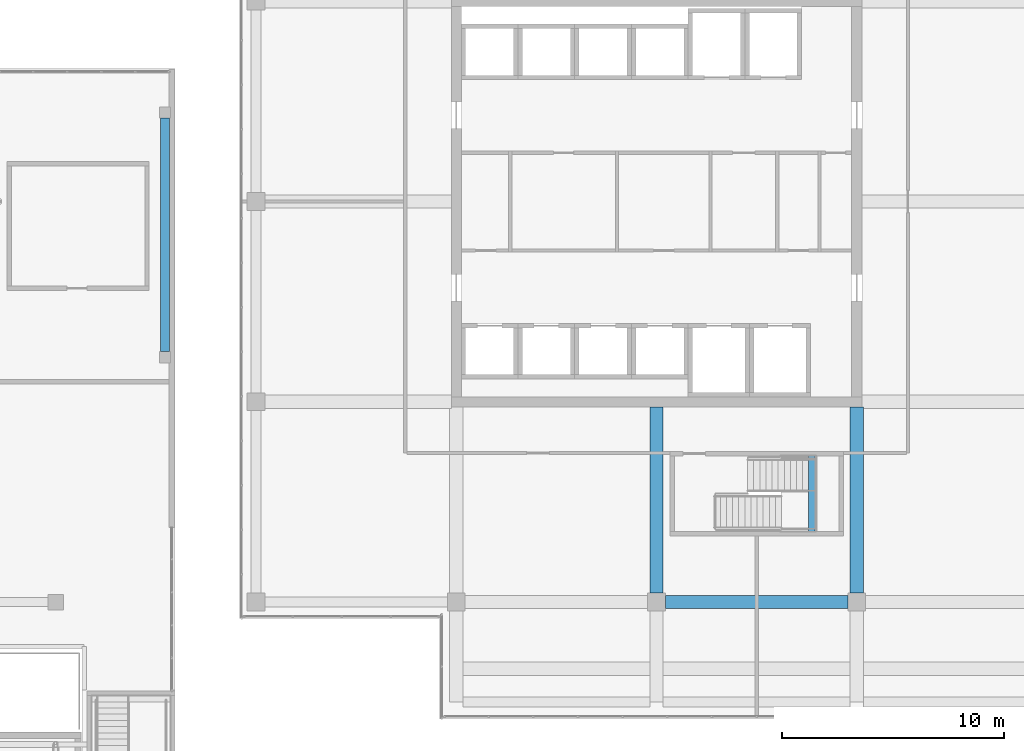
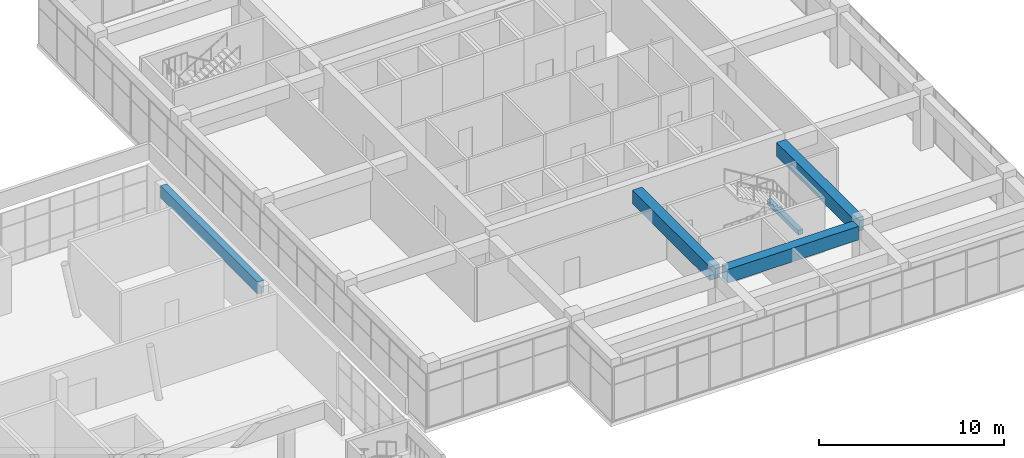
# One storey, part 29 of 72: 5 beams.
"""IFC4 building model written with IfcOpenShell, lengths in metres."""

from ifc_helpers import new_model, si_unit, direction, frame, origin, origin_2d, place, context, subcontext, project, spatial, rectangle, extrude, material, material_profile, profile_set, type_object, element, save


model = new_model("IFC4")

# Units and contexts
model_context = context("Model", 3, precision=1e-05, world=origin(), true_north=direction((0.0, 1.0)))
body_context = subcontext(model_context, "Body", "Model", "MODEL_VIEW")
ifc_project = project(units=[si_unit("LENGTHUNIT", "METRE"), si_unit("AREAUNIT", "SQUARE_METRE"), si_unit("VOLUMEUNIT", "CUBIC_METRE"), si_unit("PLANEANGLEUNIT", "RADIAN"), si_unit("MASSUNIT", "GRAM", prefix="KILO")], contexts=[model_context])

# Site, building, storey
site_placement = place(None, origin())
site = spatial("IfcSite", under=ifc_project, at=site_placement, CompositionType="ELEMENT")
building_placement = place(site_placement, origin())
building = spatial("IfcBuilding", under=site, at=building_placement, Name="Tuart Plaza Theatre", CompositionType="ELEMENT")
storey_placement = place(building_placement, frame((0.0, 0.0, 13.5)))
storey = spatial("IfcBuildingStorey", under=building, at=storey_placement, Name="L03", CompositionType="ELEMENT", Elevation=13.5)

# Beams
ifc_material_1 = material(Name="Concrete N40 (40 MPa)", Category="concrete")
ifc_material_profile_1 = material_profile(ifc_material_1, rectangle(XDim=0.300048828125, YDim=0.300048828125, at=origin_2d()), Name="BEAM 300x300 Concrete N40 (40 MPa)")
ifc_profile_set_1 = profile_set([ifc_material_profile_1], Name="Concrete N40 (40 MPa)")
beam_type_1 = type_object("IfcBeamType", Name="BEAM 300x300 Concrete N40 (40 MPa)", PredefinedType="BEAM", material=ifc_profile_set_1)
beam_1_placement = place(storey_placement, frame((138.97998046875, 59.175048828125, 1.64990234375), z_axis=(0.0, 1.0, 0.0), x_axis=(-1.0, 0.0, 0.0)))
element("IfcBeam", 1, at=beam_1_placement, inside=storey, type_object=beam_type_1, Name="RB499", PredefinedType="BEAM", context=body_context, shape_type="SweptSolid", body=[
    extrude(rectangle(XDim=0.300048828125, YDim=0.300048828125, at=origin_2d()), origin(), (0.0, 0.0, 1.0), 3.39990234375),
])
ifc_material_2 = material(Name="Concrete N40 (40 MPa)", Category="concrete")
ifc_material_profile_2 = material_profile(ifc_material_2, rectangle(XDim=0.39990234375, YDim=0.800048828125, at=origin_2d()), Name="BEAM 400x800 Concrete N40 (40 MPa)")
ifc_profile_set_2 = profile_set([ifc_material_profile_2], Name="Concrete N40 (40 MPa)")
beam_type_2 = type_object("IfcBeamType", Name="BEAM 400x800 Concrete N40 (40 MPa)", PredefinedType="BEAM", material=ifc_profile_set_2)
beam_2_placement = place(storey_placement, frame((109.909912109375, 77.75, 3.300048828125), z_axis=(0.0, -1.0, 0.0), x_axis=(1.0, 0.0, 0.0)))
element("IfcBeam", 2, at=beam_2_placement, inside=storey, type_object=beam_type_2, Name="RB491", PredefinedType="BEAM", context=body_context, shape_type="SweptSolid", body=[
    extrude(rectangle(XDim=0.39990234375, YDim=0.800048828125, at=origin_2d()), origin(), (0.0, 0.0, 1.0), 10.5),
])
ifc_material_3 = material(Name="Concrete N40 (40 MPa)", Category="concrete")
ifc_material_profile_3 = material_profile(ifc_material_3, rectangle(XDim=0.60009765625, YDim=0.89990234375, at=origin_2d()), Name="BEAM 600x900 Concrete N40 (40 MPa)")
ifc_profile_set_3 = profile_set([ifc_material_profile_3], Name="Concrete N40 (40 MPa)")
beam_type_3 = type_object("IfcBeamType", Name="BEAM 600x900 Concrete N40 (40 MPa)", PredefinedType="BEAM", material=ifc_profile_set_3)
beam_3_placement = place(storey_placement, frame((132.0, 56.39990234375, 3.1298828125), z_axis=(0.0, 1.0, 0.0), x_axis=(-1.0, 0.0, 0.0)))
element("IfcBeam", 3, at=beam_3_placement, inside=storey, type_object=beam_type_3, Name="RB183", PredefinedType="BEAM", context=body_context, shape_type="SweptSolid", body=[
    extrude(rectangle(XDim=0.60009765625, YDim=0.89990234375, at=origin_2d()), origin(), (0.0, 0.0, 1.0), 8.375),
])
beam_4_placement = place(storey_placement, frame((132.39990234375, 56.0, 3.1298828125), z_axis=(1.0, 0.0, 0.0), x_axis=(0.0, 1.0, 0.0)))
element("IfcBeam", 4, at=beam_4_placement, inside=storey, type_object=beam_type_3, Name="RB184", PredefinedType="BEAM", context=body_context, shape_type="SweptSolid", body=[
    extrude(rectangle(XDim=0.60009765625, YDim=0.89990234375, at=origin_2d()), origin(), (0.0, 0.0, 1.0), 8.2001953125),
])
beam_5_placement = place(storey_placement, frame((141.0, 56.39990234375, 3.1298828125), z_axis=(0.0, 1.0, 0.0), x_axis=(-1.0, 0.0, 0.0)))
element("IfcBeam", 5, at=beam_5_placement, inside=storey, type_object=beam_type_3, Name="RB190", PredefinedType="BEAM", context=body_context, shape_type="SweptSolid", body=[
    extrude(rectangle(XDim=0.60009765625, YDim=0.89990234375, at=origin_2d()), origin(), (0.0, 0.0, 1.0), 8.375),
])

save(model, "model.ifc")
